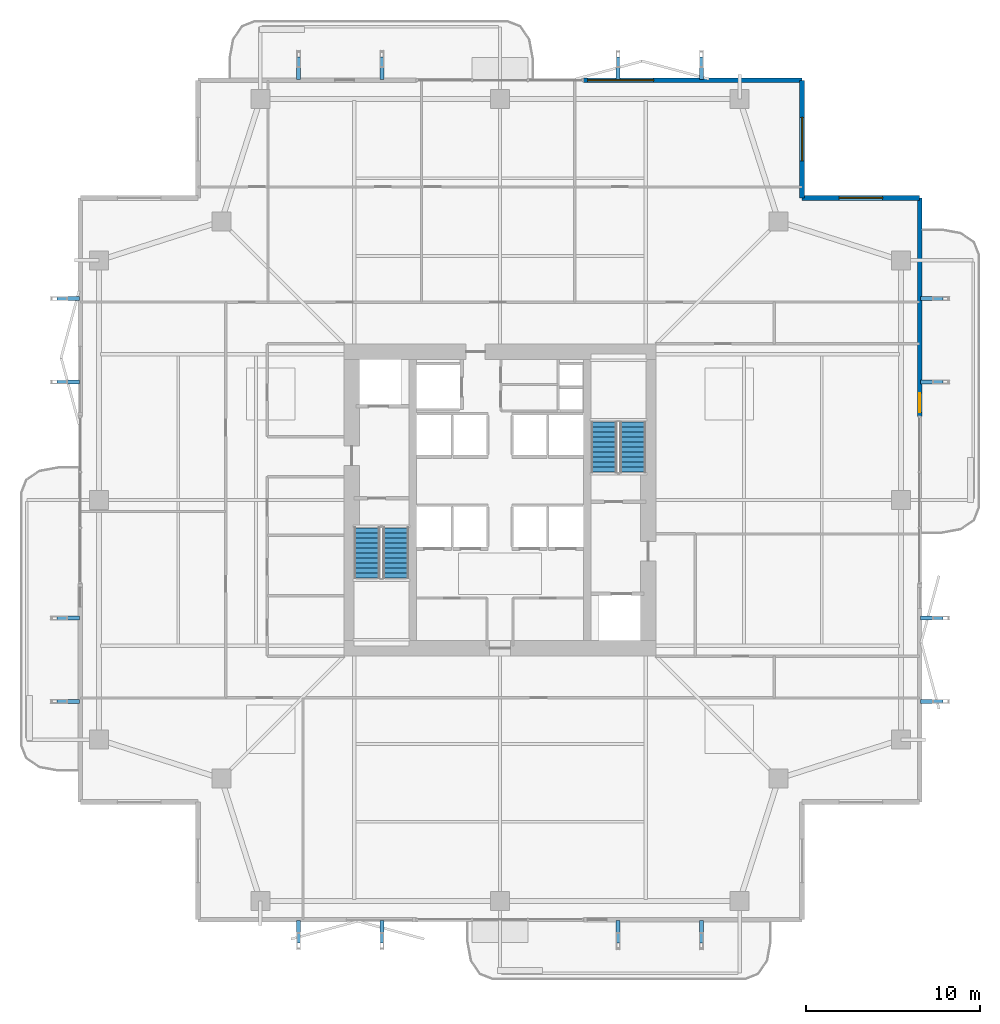
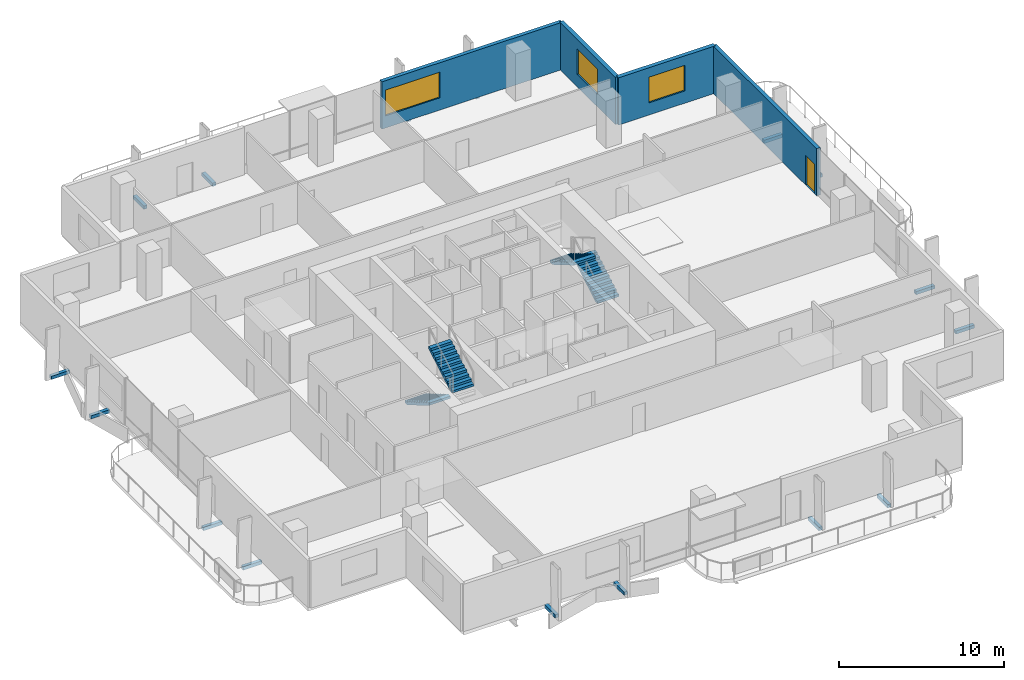
# One storey, part 21 of 25: 16 discrete accessories, 4 stair flights, 4 walls, 3 windows, 1 door, 4 openings, 2 elements without a shape of their own.
"""IFC4 building model written with IfcOpenShell, lengths in metres."""

from ifc_helpers import new_model, si_unit, direction, frame, frame_2d, origin, origin_2d, place, context, subcontext, project, spatial, polyline, rectangle, outline, extrude, material, layer, layer_set, type_object, element, fill, aggregate, save


model = new_model("IFC4")

# Units and contexts
model_context = context("Model", 3, precision=1e-05, world=origin(), true_north=direction((0.0, 1.0)))
body_context = subcontext(model_context, "Body", "Model", "MODEL_VIEW")
ifc_project = project(units=[si_unit("LENGTHUNIT", "METRE"), si_unit("AREAUNIT", "SQUARE_METRE"), si_unit("VOLUMEUNIT", "CUBIC_METRE"), si_unit("PLANEANGLEUNIT", "RADIAN"), si_unit("MASSUNIT", "GRAM", prefix="KILO")], contexts=[model_context])

# Site, building, storey
site_placement = place(None, origin())
site = spatial("IfcSite", under=ifc_project, at=site_placement, CompositionType="ELEMENT")
building_placement = place(site_placement, origin())
building = spatial("IfcBuilding", under=site, at=building_placement, Name="Belovzor Exchange Tower", CompositionType="ELEMENT")
storey_placement = place(building_placement, frame((0.0, 0.0, 164.550048828125)))
storey = spatial("IfcBuildingStorey", under=building, at=storey_placement, Name="L40", CompositionType="ELEMENT", Elevation=164.550048828125)

# Wall, opening, window
ifc_material_1 = material(Name="Precast concrete C40/50", Category="concrete")
ifc_layer_1 = layer(ifc_material_1, 0.280029296875)
ifc_layer_set_1 = layer_set([ifc_layer_1], Name="Precast concrete C40/50")
wall_type_1 = type_object("IfcWallType", Name="Precast Concrete Notched Corner Frame Wall 280", PredefinedType="SOLIDWALL", material=ifc_layer_set_1)
wall_1_placement = place(storey_placement, frame((46.199951171875, 52.969970703125, 0.0), z_axis=(0.0, 0.0, 1.0), x_axis=(0.0, -1.0, 0.0)))
wall_1 = element("IfcWall", 1, at=wall_1_placement, inside=storey, type_object=wall_type_1, Name="W-CRN280 Precast Concrete Notched Corner Frame Wall 280 L40", PredefinedType="SOLIDWALL", context=body_context, shape_type="SweptSolid", body=[
    extrude(rectangle(XDim=6.77001953125, YDim=0.280029296875, at=frame_2d((3.385009765625, 0.0))), origin(), (0.0, 0.0, 1.0), 3.494873046875),
])
opening_1_placement = place(wall_1_placement, frame((2.135009765625, 0.0, 0.89990234375)))
opening_1 = element("IfcOpeningElement", 2, at=opening_1_placement, cuts=wall_1, Name="Opening WN-CRN250", PredefinedType="OPENING", context=body_context, shape_type="SweptSolid", body=[
    extrude(rectangle(XDim=2.5, YDim=1.89990234375, at=frame_2d((1.25, 0.949951171875))), frame((0.0, 0.14990234375, 0.0), z_axis=(0.0, -1.0, 0.0), x_axis=(1.0, 0.0, 0.0)), (0.0, 0.0, 1.0), 0.300048828125),
])
ifc_material_2 = material(Name="Thermally Broken Aluminium and Triple Glazing", Category="aluminium")
window_type_1 = type_object("IfcWindowType", Name="Streamline Moderne Corner Wrap Ribbon Window 2500x1900", PartitioningType="SINGLE_PANEL", PredefinedType="WINDOW", material=ifc_material_2)
window_1_placement = place(opening_1_placement, origin())
window_1 = element("IfcWindow", 3, at=window_1_placement, inside=storey, type_object=window_type_1, Name="WN-CRN250 Streamline Moderne Corner Wrap Ribbon Window 2500x1900", OverallHeight=1.89990234375, OverallWidth=2.5, PartitioningType="SINGLE_PANEL", PredefinedType="WINDOW", context=body_context, shape_type="SweptSolid", body=[
    extrude(rectangle(XDim=2.5, YDim=1.89990234375, at=frame_2d((1.25, 0.949951171875))), frame((0.0, 0.030029296875, 0.0), z_axis=(0.0, -1.0, 0.0), x_axis=(1.0, 0.0, 0.0)), (0.0, 0.0, 1.0), 0.06005859375),
])
fill(opening_1, window_1)

wall_2_placement = place(storey_placement, frame((46.199951171875, 46.199951171875, 0.0), z_axis=(0.0, 0.0, 1.0), x_axis=(1.0, 0.0, 0.0)))
wall_2 = element("IfcWall", 4, at=wall_2_placement, inside=storey, type_object=wall_type_1, Name="W-CRN280 Precast Concrete Notched Corner Frame Wall 280 L40", PredefinedType="SOLIDWALL", context=body_context, shape_type="SweptSolid", body=[
    extrude(rectangle(XDim=6.77001953125, YDim=0.280029296875, at=frame_2d((3.385009765625, 0.0))), origin(), (0.0, 0.0, 1.0), 3.494873046875),
])
opening_2_placement = place(wall_2_placement, frame((2.135009765625, 0.0, 0.89990234375)))
opening_2 = element("IfcOpeningElement", 5, at=opening_2_placement, cuts=wall_2, Name="Opening WN-CRN250", PredefinedType="OPENING", context=body_context, shape_type="SweptSolid", body=[
    extrude(rectangle(XDim=2.5, YDim=1.89990234375, at=frame_2d((1.25, 0.949951171875))), frame((0.0, 0.14990234375, 0.0), z_axis=(0.0, -1.0, 0.0), x_axis=(1.0, 0.0, 0.0)), (0.0, 0.0, 1.0), 0.300048828125),
])
window_2_placement = place(opening_2_placement, origin())
window_2 = element("IfcWindow", 6, at=window_2_placement, inside=storey, type_object=window_type_1, Name="WN-CRN250 Streamline Moderne Corner Wrap Ribbon Window 2500x1900", OverallHeight=1.89990234375, OverallWidth=2.5, PartitioningType="SINGLE_PANEL", PredefinedType="WINDOW", context=body_context, shape_type="SweptSolid", body=[
    extrude(rectangle(XDim=2.5, YDim=1.89990234375, at=frame_2d((1.25, 0.949951171875))), frame((0.0, 0.030029296875, 0.0), z_axis=(0.0, -1.0, 0.0), x_axis=(1.0, 0.0, 0.0)), (0.0, 0.0, 1.0), 0.06005859375),
])
fill(opening_2, window_2)

ifc_material_3 = material(Name="Precast concrete C40/50", Category="concrete")
ifc_layer_2 = layer(ifc_material_3, 0.260009765625)
ifc_layer_set_2 = layer_set([ifc_layer_2], Name="Precast concrete C40/50")
wall_type_2 = type_object("IfcWallType", Name="Precast Concrete Perimeter Loggia Frame Wall 260", PredefinedType="SOLIDWALL", material=ifc_layer_set_2)
wall_3_placement = place(storey_placement, frame((33.60009765625, 52.969970703125, 0.0), z_axis=(0.0, 0.0, 1.0), x_axis=(1.0, 0.0, 0.0)))
wall_3 = element("IfcWall", 7, at=wall_3_placement, inside=storey, type_object=wall_type_2, Name="W-EXT260 Precast Concrete Perimeter Loggia Frame Wall 260 L40", PredefinedType="SOLIDWALL", context=body_context, shape_type="SweptSolid", body=[
    extrude(rectangle(XDim=12.599853515625, YDim=0.260009765625, at=frame_2d((6.2998046875, 0.0))), origin(), (0.0, 0.0, 1.0), 3.494873046875),
])
opening_3_placement = place(wall_3_placement, frame((0.25, 0.0, 0.89990234375)))
opening_3 = element("IfcOpeningElement", 8, at=opening_3_placement, cuts=wall_3, Name="Opening WN-RIB380", PredefinedType="OPENING", context=body_context, shape_type="SweptSolid", body=[
    extrude(rectangle(XDim=3.800048828125, YDim=1.89990234375, at=frame_2d((1.89990234375, 0.949951171875))), frame((0.0, 0.139892578125, 0.0), z_axis=(0.0, -1.0, 0.0), x_axis=(1.0, 0.0, 0.0)), (0.0, 0.0, 1.0), 0.280029296875),
])
ifc_material_4 = material(Name="Thermally Broken Aluminium and Triple Glazing", Category="aluminium")
window_type_2 = type_object("IfcWindowType", Name="Streamline Moderne Horizontal Ribbon Window 3800x1900", PartitioningType="SINGLE_PANEL", PredefinedType="WINDOW", material=ifc_material_4)
window_3_placement = place(opening_3_placement, origin())
window_3 = element("IfcWindow", 9, at=window_3_placement, inside=storey, type_object=window_type_2, Name="WN-RIB380 Streamline Moderne Horizontal Ribbon Window 3800x1900", OverallHeight=1.89990234375, OverallWidth=3.800048828125, PartitioningType="SINGLE_PANEL", PredefinedType="WINDOW", context=body_context, shape_type="SweptSolid", body=[
    extrude(rectangle(XDim=3.800048828125, YDim=1.89990234375, at=frame_2d((1.89990234375, 0.949951171875))), frame((0.0, 0.030029296875, 0.0), z_axis=(0.0, -1.0, 0.0), x_axis=(1.0, 0.0, 0.0)), (0.0, 0.0, 1.0), 0.06005859375),
])
fill(opening_3, window_3)

# Wall, opening, door
wall_4_placement = place(storey_placement, frame((52.969970703125, 46.199951171875, 0.0), z_axis=(0.0, 0.0, 1.0), x_axis=(0.0, -1.0, 0.0)))
wall_4 = element("IfcWall", 10, at=wall_4_placement, inside=storey, type_object=wall_type_2, Name="W-EXT260 Precast Concrete Perimeter Loggia Frame Wall 260 L40", PredefinedType="SOLIDWALL", context=body_context, shape_type="SweptSolid", body=[
    extrude(rectangle(XDim=12.599853515625, YDim=0.260009765625, at=frame_2d((6.2998046875, 0.0))), origin(), (0.0, 0.0, 1.0), 3.494873046875),
])
opening_4_placement = place(wall_4_placement, frame((11.25, 0.0, 0.0)))
opening_4 = element("IfcOpeningElement", 11, at=opening_4_placement, cuts=wall_4, Name="Opening D-BAL110", PredefinedType="OPENING", context=body_context, shape_type="SweptSolid", body=[
    extrude(rectangle(XDim=1.10009765625, YDim=2.199951171875, at=frame_2d((0.550048828125, 1.10009765625))), frame((0.0, 0.139892578125, 0.0), z_axis=(0.0, -1.0, 0.0), x_axis=(1.0, 0.0, 0.0)), (0.0, 0.0, 1.0), 0.280029296875),
])
ifc_material_5 = material(Name="Thermally Broken Anodised Aluminium and Laminated Glass", Category="aluminium")
door_type = type_object("IfcDoorType", Name="Planted Loggia Terrace Glazed Door 1100x2200", OperationType="SINGLE_SWING_LEFT", PredefinedType="DOOR", material=ifc_material_5)
door_placement = place(opening_4_placement, origin())
door = element("IfcDoor", 12, at=door_placement, inside=storey, type_object=door_type, Name="D-BAL110 Balcony Terrace Door L40 E", OperationType="SINGLE_SWING_LEFT", OverallHeight=2.199951171875, OverallWidth=1.10009765625, PredefinedType="DOOR", context=body_context, shape_type="SweptSolid", body=[
    extrude(rectangle(XDim=1.10009765625, YDim=2.199951171875, at=frame_2d((0.550048828125, 1.10009765625))), frame((0.0, 0.02490234375, 0.0), z_axis=(0.0, -1.0, 0.0), x_axis=(1.0, 0.0, 0.0)), (0.0, 0.0, 1.0), 0.050048828125),
])
fill(opening_4, door)

# Stair, stair flights
ifc_material_6 = material(Name="Concrete C40/50", Category="concrete")
stair_type = type_object("IfcStairType", Name="Reinforced Concrete Dogleg Escape Stair 1350", PredefinedType="HALF_TURN_STAIR", material=ifc_material_6)
stair_1_placement = place(storey_placement, origin())
stair_1 = element("IfcStair", 13, at=stair_1_placement, inside=storey, type_object=stair_type, Name="L40 ST-1", PredefinedType="HALF_TURN_STAIR")
ifc_material_7 = material(Name="Concrete C40/50", Category="concrete")
stair_flight_type = type_object("IfcStairFlightType", Name="Reinforced Concrete Stair Flight 1350", PredefinedType="STRAIGHT", material=ifc_material_7)
stair_flight_1_placement = place(storey_placement, frame((21.14990234375, 27.199951171875, 0.0), z_axis=(0.0, 0.0, 1.0), x_axis=(0.0, -1.0, 0.0)))
stair_flight_1 = element("IfcStairFlight", 14, at=stair_flight_1_placement, type_object=stair_flight_type, Name="ST-1 flight 1", NumberOfRisers=11, NumberOfTreads=10, PredefinedType="STRAIGHT", RiserHeight=0.170454545, TreadLength=0.29, context=body_context, shape_type="SweptSolid", body=[
    extrude(outline(polyline([(0.0, 0.0), (0.0, 0.17041015625), (0.2900390625, 0.17041015625), (0.2900390625, 0.3408203125), (0.580078125, 0.3408203125), (0.580078125, 0.511474609375), (0.8701171875, 0.511474609375), (0.8701171875, 0.681884765625), (1.159912109375, 0.681884765625), (1.159912109375, 0.852294921875), (1.449951171875, 0.852294921875), (1.449951171875, 1.022705078125), (1.739990234375, 1.022705078125), (1.739990234375, 1.193115234375), (2.030029296875, 1.193115234375), (2.030029296875, 1.363525390625), (2.320068359375, 1.363525390625), (2.320068359375, 1.5341796875), (2.610107421875, 1.5341796875), (2.610107421875, 1.70458984375), (2.89990234375, 1.70458984375), (2.89990234375, 1.875), (2.89990234375, 1.53076171875), (0.2958984375, 0.0), (0.0, 0.0)])), frame((0.0, 0.75, 0.0), z_axis=(0.0, -1.0, 0.0), x_axis=(1.0, 0.0, 0.0)), (0.0, 0.0, 1.0), 1.5),
])
stair_flight_2_placement = place(storey_placement, frame((22.800048828125, 24.300048828125, 1.875), z_axis=(0.0, 0.0, 1.0), x_axis=(0.0, 1.0, 0.0)))
stair_flight_2 = element("IfcStairFlight", 15, at=stair_flight_2_placement, type_object=stair_flight_type, Name="ST-1 flight 2", NumberOfRisers=11, NumberOfTreads=10, PredefinedType="STRAIGHT", RiserHeight=0.170454545, TreadLength=0.29, context=body_context, shape_type="SweptSolid", body=[
    extrude(outline(polyline([(0.0, 0.0), (0.0, 0.17041015625), (0.2900390625, 0.17041015625), (0.2900390625, 0.3408203125), (0.580078125, 0.3408203125), (0.580078125, 0.511474609375), (0.8701171875, 0.511474609375), (0.8701171875, 0.681884765625), (1.159912109375, 0.681884765625), (1.159912109375, 0.852294921875), (1.449951171875, 0.852294921875), (1.449951171875, 1.022705078125), (1.739990234375, 1.022705078125), (1.739990234375, 1.193115234375), (2.030029296875, 1.193115234375), (2.030029296875, 1.363525390625), (2.320068359375, 1.363525390625), (2.320068359375, 1.5341796875), (2.610107421875, 1.5341796875), (2.610107421875, 1.70458984375), (2.89990234375, 1.70458984375), (2.89990234375, 1.875), (2.89990234375, 1.53076171875), (0.2958984375, 0.0), (0.0, 0.0)])), frame((0.0, 0.75, 0.0), z_axis=(0.0, -1.0, 0.0), x_axis=(1.0, 0.0, 0.0)), (0.0, 0.0, 1.0), 1.5),
])
aggregate(stair_1, [stair_flight_1, stair_flight_2])

stair_2_placement = place(storey_placement, origin())
stair_2 = element("IfcStair", 16, at=stair_2_placement, inside=storey, type_object=stair_type, Name="L40 ST-2", PredefinedType="HALF_TURN_STAIR")
stair_flight_3_placement = place(storey_placement, frame((36.449951171875, 30.39990234375, 0.0), z_axis=(0.0, 0.0, 1.0), x_axis=(0.0, 1.0, 0.0)))
stair_flight_3 = element("IfcStairFlight", 17, at=stair_flight_3_placement, type_object=stair_flight_type, Name="ST-2 flight 1", NumberOfRisers=11, NumberOfTreads=10, PredefinedType="STRAIGHT", RiserHeight=0.170454545, TreadLength=0.29, context=body_context, shape_type="SweptSolid", body=[
    extrude(outline(polyline([(0.0, 0.0), (0.0, 0.17041015625), (0.2900390625, 0.17041015625), (0.2900390625, 0.3408203125), (0.580078125, 0.3408203125), (0.580078125, 0.511474609375), (0.8701171875, 0.511474609375), (0.8701171875, 0.681884765625), (1.159912109375, 0.681884765625), (1.159912109375, 0.852294921875), (1.449951171875, 0.852294921875), (1.449951171875, 1.022705078125), (1.739990234375, 1.022705078125), (1.739990234375, 1.193115234375), (2.030029296875, 1.193115234375), (2.030029296875, 1.363525390625), (2.320068359375, 1.363525390625), (2.320068359375, 1.5341796875), (2.610107421875, 1.5341796875), (2.610107421875, 1.70458984375), (2.89990234375, 1.70458984375), (2.89990234375, 1.875), (2.89990234375, 1.53076171875), (0.2958984375, 0.0), (0.0, 0.0)])), frame((0.0, 0.75, 0.0), z_axis=(0.0, -1.0, 0.0), x_axis=(1.0, 0.0, 0.0)), (0.0, 0.0, 1.0), 1.5),
])
stair_flight_4_placement = place(storey_placement, frame((34.800048828125, 33.300048828125, 1.875), z_axis=(0.0, 0.0, 1.0), x_axis=(0.0, -1.0, 0.0)))
stair_flight_4 = element("IfcStairFlight", 18, at=stair_flight_4_placement, type_object=stair_flight_type, Name="ST-2 flight 2", NumberOfRisers=11, NumberOfTreads=10, PredefinedType="STRAIGHT", RiserHeight=0.170454545, TreadLength=0.29, context=body_context, shape_type="SweptSolid", body=[
    extrude(outline(polyline([(0.0, 0.0), (0.0, 0.17041015625), (0.2900390625, 0.17041015625), (0.2900390625, 0.3408203125), (0.580078125, 0.3408203125), (0.580078125, 0.511474609375), (0.8701171875, 0.511474609375), (0.8701171875, 0.681884765625), (1.159912109375, 0.681884765625), (1.159912109375, 0.852294921875), (1.449951171875, 0.852294921875), (1.449951171875, 1.022705078125), (1.739990234375, 1.022705078125), (1.739990234375, 1.193115234375), (2.030029296875, 1.193115234375), (2.030029296875, 1.363525390625), (2.320068359375, 1.363525390625), (2.320068359375, 1.5341796875), (2.610107421875, 1.5341796875), (2.610107421875, 1.70458984375), (2.89990234375, 1.70458984375), (2.89990234375, 1.875), (2.89990234375, 1.53076171875), (0.2958984375, 0.0), (0.0, 0.0)])), frame((0.0, 0.75, 0.0), z_axis=(0.0, -1.0, 0.0), x_axis=(1.0, 0.0, 0.0)), (0.0, 0.0, 1.0), 1.5),
])
aggregate(stair_2, [stair_flight_3, stair_flight_4])

# Discrete accessories
ifc_material_8 = material(Name="Stainless Steel Grade 316", Category="steel")
ifc_layer_3 = layer(ifc_material_8, 0.179931640625)
ifc_layer_set_3 = layer_set([ifc_layer_3], Name="Stainless Steel Grade 316")
discrete_accessory_type = type_object("IfcDiscreteAccessoryType", Name="Stainless Steel Facade Outrigger Fixing Bracket", PredefinedType="BRACKET", material=ifc_layer_set_3)
for number, where, z_axis, x_axis, name in (
    (19, (17.199951171875, 3.926025390625, -0.2470703125), (0.0, 0.0, 1.0), (0.0, 1.0, 0.0), "BRK-FIN1 Sweeping Fin Outrigger Bracket L40 S1"),
    (20, (17.199951171875, 53.674072265625, -0.2470703125), (0.0, 0.0, 1.0), (0.0, 1.0, 0.0), "BRK-FIN1 Sweeping Fin Outrigger Bracket L40 N1"),
    (21, (3.926025390625, 17.199951171875, -0.2470703125), (0.0, 0.0, 1.0), (1.0, 0.0, 0.0), "BRK-FIN1 Sweeping Fin Outrigger Bracket L40 W1"),
    (22, (53.674072265625, 17.199951171875, -0.2470703125), (0.0, 0.0, 1.0), (1.0, 0.0, 0.0), "BRK-FIN1 Sweeping Fin Outrigger Bracket L40 E1"),
    (23, (22.0, 3.926025390625, -0.2470703125), (0.0, 0.0, 1.0), (0.0, 1.0, 0.0), "BRK-FIN1 Sweeping Fin Outrigger Bracket L40 S2"),
    (24, (22.0, 53.674072265625, -0.2470703125), (0.0, 0.0, 1.0), (0.0, 1.0, 0.0), "BRK-FIN1 Sweeping Fin Outrigger Bracket L40 N2"),
    (25, (3.926025390625, 22.0, -0.2470703125), (0.0, 0.0, 1.0), (1.0, 0.0, 0.0), "BRK-FIN1 Sweeping Fin Outrigger Bracket L40 W2"),
    (26, (53.674072265625, 22.0, -0.2470703125), (0.0, 0.0, 1.0), (1.0, 0.0, 0.0), "BRK-FIN1 Sweeping Fin Outrigger Bracket L40 E2"),
    (27, (35.60009765625, 3.926025390625, -0.2470703125), (0.0, 0.0, 1.0), (0.0, 1.0, 0.0), "BRK-FIN1 Sweeping Fin Outrigger Bracket L40 S3"),
    (28, (35.60009765625, 53.674072265625, -0.2470703125), (0.0, 0.0, 1.0), (0.0, 1.0, 0.0), "BRK-FIN1 Sweeping Fin Outrigger Bracket L40 N3"),
    (29, (3.926025390625, 35.60009765625, -0.2470703125), (0.0, 0.0, 1.0), (1.0, 0.0, 0.0), "BRK-FIN1 Sweeping Fin Outrigger Bracket L40 W3"),
    (30, (53.674072265625, 35.60009765625, -0.2470703125), (0.0, 0.0, 1.0), (1.0, 0.0, 0.0), "BRK-FIN1 Sweeping Fin Outrigger Bracket L40 E3"),
    (31, (40.39990234375, 3.926025390625, -0.2470703125), (0.0, 0.0, 1.0), (0.0, 1.0, 0.0), "BRK-FIN1 Sweeping Fin Outrigger Bracket L40 S4"),
    (32, (40.39990234375, 53.674072265625, -0.2470703125), (0.0, 0.0, 1.0), (0.0, 1.0, 0.0), "BRK-FIN1 Sweeping Fin Outrigger Bracket L40 N4"),
    (33, (3.926025390625, 40.39990234375, -0.2470703125), (0.0, 0.0, 1.0), (1.0, 0.0, 0.0), "BRK-FIN1 Sweeping Fin Outrigger Bracket L40 W4"),
    (34, (53.674072265625, 40.39990234375, -0.2470703125), (0.0, 0.0, 1.0), (1.0, 0.0, 0.0), "BRK-FIN1 Sweeping Fin Outrigger Bracket L40 E4"),
):
    element("IfcDiscreteAccessory", number, at=place(storey_placement, frame(where, z_axis=z_axis, x_axis=x_axis)), inside=storey, type_object=discrete_accessory_type, Name=name, PredefinedType="BRACKET", context=body_context, shape_type="SweptSolid", body=[
        extrude(rectangle(XDim=1.306884765625, YDim=0.239990234375, at=origin_2d()), origin(), (0.0, 0.0, 1.0), 0.239990234375),
    ])

save(model, "model.ifc")
